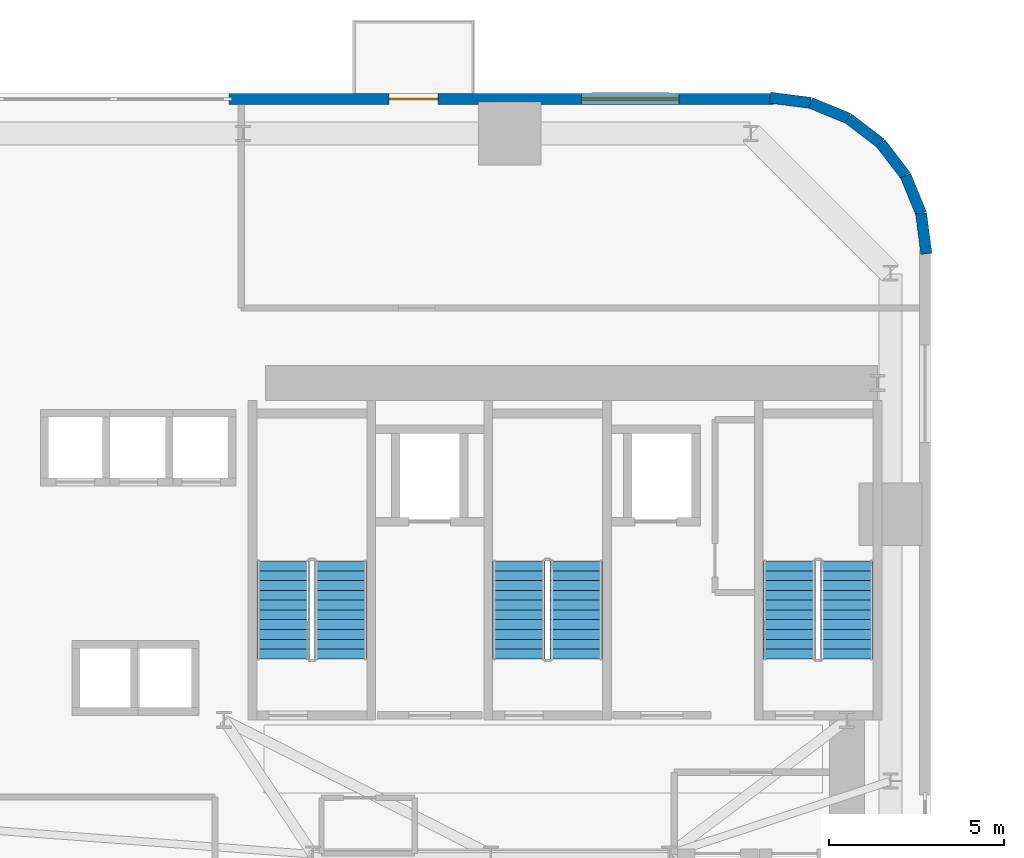
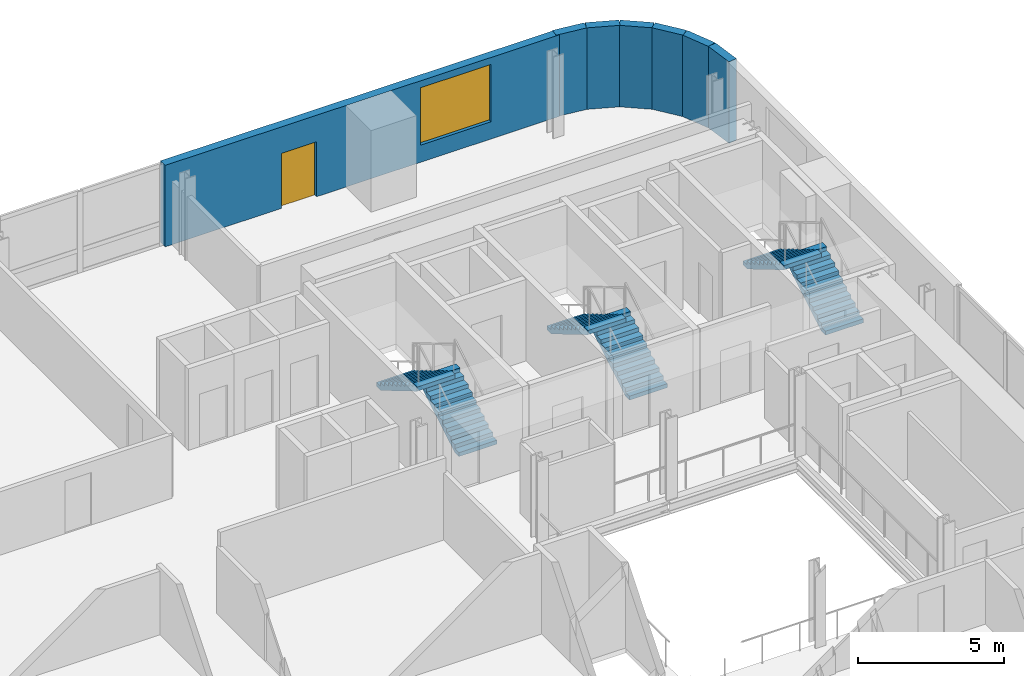
# One storey, part 9 of 13: 7 walls, 6 stair flights, 1 door, 1 window, 2 openings, 3 elements without a shape of their own.
"""IFC4 building model written with IfcOpenShell, lengths in metres."""

from ifc_helpers import new_model, si_unit, direction, frame, frame_2d, origin, place, context, subcontext, project, spatial, polyline, rectangle, outline, extrude, source, transform, mapped, material, layer, layer_set, type_object, element, fill, aggregate, save


model = new_model("IFC4")

# Units and contexts
model_context = context("Model", 3, precision=1e-05, world=origin(), true_north=direction((0.0, 1.0)))
body_context = subcontext(model_context, "Body", "Model", "MODEL_VIEW")
ifc_project = project(units=[si_unit("LENGTHUNIT", "METRE"), si_unit("AREAUNIT", "SQUARE_METRE"), si_unit("VOLUMEUNIT", "CUBIC_METRE"), si_unit("PLANEANGLEUNIT", "RADIAN"), si_unit("MASSUNIT", "GRAM", prefix="KILO")], contexts=[model_context])

# Site, building, storey
site_placement = place(None, origin())
site = spatial("IfcSite", under=ifc_project, at=site_placement, CompositionType="ELEMENT")
building_placement = place(site_placement, origin())
building = spatial("IfcBuilding", under=site, at=building_placement, Name="Vardaveli Station Tower", CompositionType="ELEMENT")
storey_placement = place(building_placement, frame((0.0, 0.0, 86.0)))
storey = spatial("IfcBuildingStorey", under=building, at=storey_placement, Name="L22", CompositionType="ELEMENT", Elevation=86.0)

# Wall, openings, door, window
ifc_material_1 = material(Name="Precast concrete C45/55", Category="concrete")
ifc_layer = layer(ifc_material_1, 0.320068359375, Name="Precast concrete C45/55")
ifc_layer_set = layer_set([ifc_layer], Name="Precast concrete C45/55")
wall_type = type_object("IfcWallType", Name="WAL-EXT-STONE-320", PredefinedType="SOLIDWALL", material=ifc_layer_set)
shared_shape_1 = source(origin(), body_context, "Body", "SweptSolid", [
    extrude(rectangle(XDim=15.599853515625, YDim=0.320068359375, at=frame_2d((7.7998046875, 0.0))), origin(), (0.0, 0.0, 1.0), 3.409912109375),
])
wall_1_placement = place(storey_placement, frame((44.39990234375, 48.43994140625, 0.0), z_axis=(0.0, 0.0, 1.0), x_axis=(-1.0, 0.0, 0.0)))
wall_1 = element("IfcWall", 1, at=wall_1_placement, inside=storey, type_object=wall_type, Name="EW-L22-N1", PredefinedType="SOLIDWALL", context=body_context, shape_type="MappedRepresentation", body=[
    mapped(shared_shape_1, transform((0.0, 0.0, 0.0), scale=1.0)),
])
shared_shape_2 = source(origin(), body_context, "Body", "SweptSolid", [
    extrude(rectangle(XDim=1.39990234375, YDim=2.300048828125, at=frame_2d((0.699951171875, 1.14990234375))), frame((0.0, 0.169921875, 0.0), z_axis=(0.0, -1.0, 0.0), x_axis=(1.0, 0.0, 0.0)), (0.0, 0.0, 1.0), 0.340087890625),
])
opening_1_placement = place(wall_1_placement, frame((9.6103515625, 0.0, 0.0)))
opening_1 = element("IfcOpeningElement", 2, at=opening_1_placement, cuts=wall_1, Name="Opening D-09", PredefinedType="OPENING", context=body_context, shape_type="MappedRepresentation", body=[
    mapped(shared_shape_2, transform((0.0, 0.0, 0.0), scale=1.0)),
])
shared_shape_3 = source(origin(), body_context, "Body", "SweptSolid", [
    extrude(rectangle(XDim=2.800048828125, YDim=2.39990234375, at=frame_2d((1.39990234375, 1.199951171875))), frame((0.0, 0.169921875, 0.0), z_axis=(0.0, -1.0, 0.0), x_axis=(1.0, 0.0, 0.0)), (0.0, 0.0, 1.0), 0.340087890625),
])
opening_2_placement = place(wall_1_placement, frame((2.705078125, 0.0, 0.719970703125)))
opening_2 = element("IfcOpeningElement", 3, at=opening_2_placement, cuts=wall_1, Name="Opening W-04", PredefinedType="OPENING", context=body_context, shape_type="MappedRepresentation", body=[
    mapped(shared_shape_3, transform((0.0, 0.0, 0.0), scale=1.0)),
])
ifc_material_2 = material(Name="Thermally broken aluminium glass", Category="aluminium")
door_type = type_object("IfcDoorType", Name="DR-LOG-1400x2300", OperationType="DOUBLE_DOOR_SLIDING", PredefinedType="DOOR", material=ifc_material_2)
shared_shape_4 = source(origin(), body_context, "Body", "SweptSolid", [
    extrude(rectangle(XDim=1.39990234375, YDim=2.300048828125, at=frame_2d((0.699951171875, 1.14990234375))), frame((0.0, 0.02490234375, 0.0), z_axis=(0.0, -1.0, 0.0), x_axis=(1.0, 0.0, 0.0)), (0.0, 0.0, 1.0), 0.050048828125),
])
door_placement = place(opening_1_placement, frame((1.39990234375, 0.0, 0.0), z_axis=(0.0, 0.0, 1.0), x_axis=(-1.0, 0.0, 0.0)))
door = element("IfcDoor", 4, at=door_placement, inside=storey, type_object=door_type, Name="DLG-L22-N", OperationType="DOUBLE_DOOR_SLIDING", OverallHeight=2.300048828125, OverallWidth=1.39990234375, PredefinedType="DOOR", context=body_context, shape_type="MappedRepresentation", body=[
    mapped(shared_shape_4, transform((0.0, 0.0, 0.0), scale=1.0)),
])
fill(opening_1, door)
ifc_material_3 = material(Name="Low-E solar-control glass", Category="glass")
window_type = type_object("IfcWindowType", Name="WIN-SUITE-2800x2400", PartitioningType="SINGLE_PANEL", PredefinedType="WINDOW", material=ifc_material_3)
shared_shape_5 = source(origin(), body_context, "Body", "SweptSolid", [
    extrude(rectangle(XDim=2.800048828125, YDim=2.39990234375, at=frame_2d((1.39990234375, 1.199951171875))), frame((0.0, 0.030029296875, 0.0), z_axis=(0.0, -1.0, 0.0), x_axis=(1.0, 0.0, 0.0)), (0.0, 0.0, 1.0), 0.06005859375),
])
window_placement = place(opening_2_placement, origin())
window = element("IfcWindow", 5, at=window_placement, inside=storey, type_object=window_type, Name="WN-L22-N1", OverallHeight=2.39990234375, OverallWidth=2.800048828125, PartitioningType="SINGLE_PANEL", PredefinedType="WINDOW", context=body_context, shape_type="MappedRepresentation", body=[
    mapped(shared_shape_5, transform((0.0, 0.0, 0.0), scale=1.0)),
])
fill(opening_2, window)

# Walls
shared_shape_6 = source(origin(), body_context, "Body", "SweptSolid", [
    extrude(rectangle(XDim=1.1689453125, YDim=0.320068359375, at=frame_2d((0.58447265625, 0.0))), origin(), (0.0, 0.0, 1.0), 3.409912109375),
])
wall_2_placement = place(storey_placement, frame((48.179931640625, 46.2412109375, 0.0), z_axis=(0.0, 0.0, 1.0), x_axis=(-0.608387696831, 0.793639975269, 0.0)))
element("IfcWall", 6, at=wall_2_placement, inside=storey, type_object=wall_type, Name="EW-L22-CR3-3", PredefinedType="SOLIDWALL", context=body_context, shape_type="MappedRepresentation", body=[
    mapped(shared_shape_6, transform((0.0, 0.0, 0.0), scale=1.0)),
])
shared_shape_7 = source(origin(), body_context, "Body", "SweptSolid", [
    extrude(rectangle(XDim=1.168701171875, YDim=0.320068359375, at=frame_2d((0.58447265625, 0.0))), origin(), (0.0, 0.0, 1.0), 3.409912109375),
])
wall_3_placement = place(storey_placement, frame((47.46875, 47.1689453125, 0.0), z_axis=(0.0, 0.0, 1.0), x_axis=(-0.793663520347, 0.608356981114, 0.0)))
element("IfcWall", 7, at=wall_3_placement, inside=storey, type_object=wall_type, Name="EW-L22-CR3-4", PredefinedType="SOLIDWALL", context=body_context, shape_type="MappedRepresentation", body=[
    mapped(shared_shape_7, transform((0.0, 0.0, 0.0), scale=1.0)),
])
shared_shape_8 = source(origin(), body_context, "Body", "SweptSolid", [
    extrude(rectangle(XDim=1.17041015625, YDim=0.320068359375, at=frame_2d((0.585205078125, 0.0))), origin(), (0.0, 0.0, 1.0), 3.409912109375),
])
for number, where, z_axis, x_axis, name in (
    (8, (48.775634765625, 43.99951171875, 0.0), (0.0, 0.0, 1.0), (-0.128295670475, 0.991735963317, 0.0), "EW-L22-CR3-1"),
    (9, (45.460205078125, 48.325439453125, 0.0), (0.0, 0.0, 1.0), (-0.991735963317, 0.128295670475, 0.0), "EW-L22-CR3-6"),
):
    element("IfcWall", number, at=place(storey_placement, frame(where, z_axis=z_axis, x_axis=x_axis)), inside=storey, type_object=wall_type, Name=name, PredefinedType="SOLIDWALL", context=body_context, shape_type="MappedRepresentation", body=[
        mapped(shared_shape_8, transform((0.0, 0.0, 0.0), scale=1.0)),
    ])
shared_shape_9 = source(origin(), body_context, "Body", "SweptSolid", [
    extrude(rectangle(XDim=1.169189453125, YDim=0.320068359375, at=frame_2d((0.58447265625, 0.0))), origin(), (0.0, 0.0, 1.0), 3.409912109375),
])
for number, where, z_axis, x_axis, name in (
    (10, (48.62548828125, 45.16015625, 0.0), (0.0, 0.0, 1.0), (-0.381054331552, 0.924552646638, 0.0), "EW-L22-CR3-2"),
    (11, (46.541259765625, 47.8798828125, 0.0), (0.0, 0.0, 1.0), (-0.924552646638, 0.381054331552, 0.0), "EW-L22-CR3-5"),
):
    element("IfcWall", number, at=place(storey_placement, frame(where, z_axis=z_axis, x_axis=x_axis)), inside=storey, type_object=wall_type, Name=name, PredefinedType="SOLIDWALL", context=body_context, shape_type="MappedRepresentation", body=[
        mapped(shared_shape_9, transform((0.0, 0.0, 0.0), scale=1.0)),
    ])

# Stair, stair flights
ifc_material_4 = material(Name="Concrete C40/50", Category="concrete")
stair_type = type_object("IfcStairType", Name="STR-CORE-1500", PredefinedType="HALF_TURN_STAIR", material=ifc_material_4)
stair_1_placement = place(storey_placement, origin())
stair_1 = element("IfcStair", 12, at=stair_1_placement, inside=storey, type_object=stair_type, Name="L22 ST-1", PredefinedType="HALF_TURN_STAIR")
stair_flight_type = type_object("IfcStairFlightType", Name="SFL-CORE-1500", PredefinedType="STRAIGHT", material=ifc_material_4)
shared_shape_10 = source(origin(), body_context, "Body", "SweptSolid", [
    extrude(outline(polyline([(0.0, 0.0), (0.0, 0.166015625), (0.280029296875, 0.166015625), (0.280029296875, 0.331787109375), (0.56005859375, 0.331787109375), (0.56005859375, 0.497802734375), (0.840087890625, 0.497802734375), (0.840087890625, 0.66357421875), (1.1201171875, 0.66357421875), (1.1201171875, 0.82958984375), (1.39990234375, 0.82958984375), (1.39990234375, 0.995361328125), (1.679931640625, 0.995361328125), (1.679931640625, 1.161376953125), (1.9599609375, 1.161376953125), (1.9599609375, 1.327392578125), (2.239990234375, 1.327392578125), (2.239990234375, 1.4931640625), (2.52001953125, 1.4931640625), (2.52001953125, 1.6591796875), (2.800048828125, 1.6591796875), (2.800048828125, 1.824951171875), (2.800048828125, 1.48486328125), (0.2939453125, 0.0), (0.0, 0.0)])), frame((0.0, 0.75, 0.0), z_axis=(0.0, -1.0, 0.0), x_axis=(1.0, 0.0, 0.0)), (0.0, 0.0, 1.0), 1.5),
])
stair_flight_1_placement = place(storey_placement, frame((32.0, 32.39990234375, 0.0), z_axis=(0.0, 0.0, 1.0), x_axis=(0.0, 1.0, 0.0)))
stair_flight_1 = element("IfcStairFlight", 13, at=stair_flight_1_placement, type_object=stair_flight_type, Name="ST-1 flight 1", NumberOfRisers=11, NumberOfTreads=10, PredefinedType="STRAIGHT", RiserHeight=0.165909091, TreadLength=0.28, context=body_context, shape_type="MappedRepresentation", body=[
    mapped(shared_shape_10, transform((0.0, 0.0, 0.0), scale=1.0)),
])
stair_flight_2_placement = place(storey_placement, frame((30.35009765625, 35.199951171875, 1.824951171875), z_axis=(0.0, 0.0, 1.0), x_axis=(0.0, -1.0, 0.0)))
stair_flight_2 = element("IfcStairFlight", 14, at=stair_flight_2_placement, type_object=stair_flight_type, Name="ST-1 flight 2", NumberOfRisers=11, NumberOfTreads=10, PredefinedType="STRAIGHT", RiserHeight=0.165909091, TreadLength=0.28, context=body_context, shape_type="MappedRepresentation", body=[
    mapped(shared_shape_10, transform((0.0, 0.0, 0.0), scale=1.0)),
])
aggregate(stair_1, [stair_flight_1, stair_flight_2])

stair_2_placement = place(storey_placement, origin())
stair_2 = element("IfcStair", 15, at=stair_2_placement, inside=storey, type_object=stair_type, Name="L22 ST-2", PredefinedType="HALF_TURN_STAIR")
stair_flight_3_placement = place(storey_placement, frame((38.75, 32.39990234375, 0.0), z_axis=(0.0, 0.0, 1.0), x_axis=(0.0, 1.0, 0.0)))
stair_flight_3 = element("IfcStairFlight", 16, at=stair_flight_3_placement, type_object=stair_flight_type, Name="ST-2 flight 1", NumberOfRisers=11, NumberOfTreads=10, PredefinedType="STRAIGHT", RiserHeight=0.165909091, TreadLength=0.28, context=body_context, shape_type="MappedRepresentation", body=[
    mapped(shared_shape_10, transform((0.0, 0.0, 0.0), scale=1.0)),
])
stair_flight_4_placement = place(storey_placement, frame((37.10009765625, 35.199951171875, 1.824951171875), z_axis=(0.0, 0.0, 1.0), x_axis=(0.0, -1.0, 0.0)))
stair_flight_4 = element("IfcStairFlight", 17, at=stair_flight_4_placement, type_object=stair_flight_type, Name="ST-2 flight 2", NumberOfRisers=11, NumberOfTreads=10, PredefinedType="STRAIGHT", RiserHeight=0.165909091, TreadLength=0.28, context=body_context, shape_type="MappedRepresentation", body=[
    mapped(shared_shape_10, transform((0.0, 0.0, 0.0), scale=1.0)),
])
aggregate(stair_2, [stair_flight_3, stair_flight_4])

stair_3_placement = place(storey_placement, origin())
stair_3 = element("IfcStair", 18, at=stair_3_placement, inside=storey, type_object=stair_type, Name="L22 ST-3", PredefinedType="HALF_TURN_STAIR")
stair_flight_5_placement = place(storey_placement, frame((46.5, 32.39990234375, 0.0), z_axis=(0.0, 0.0, 1.0), x_axis=(0.0, 1.0, 0.0)))
stair_flight_5 = element("IfcStairFlight", 19, at=stair_flight_5_placement, type_object=stair_flight_type, Name="ST-3 flight 1", NumberOfRisers=11, NumberOfTreads=10, PredefinedType="STRAIGHT", RiserHeight=0.165909091, TreadLength=0.28, context=body_context, shape_type="MappedRepresentation", body=[
    mapped(shared_shape_10, transform((0.0, 0.0, 0.0), scale=1.0)),
])
stair_flight_6_placement = place(storey_placement, frame((44.85009765625, 35.199951171875, 1.824951171875), z_axis=(0.0, 0.0, 1.0), x_axis=(0.0, -1.0, 0.0)))
stair_flight_6 = element("IfcStairFlight", 20, at=stair_flight_6_placement, type_object=stair_flight_type, Name="ST-3 flight 2", NumberOfRisers=11, NumberOfTreads=10, PredefinedType="STRAIGHT", RiserHeight=0.165909091, TreadLength=0.28, context=body_context, shape_type="MappedRepresentation", body=[
    mapped(shared_shape_10, transform((0.0, 0.0, 0.0), scale=1.0)),
])
aggregate(stair_3, [stair_flight_5, stair_flight_6])

save(model, "model.ifc")
